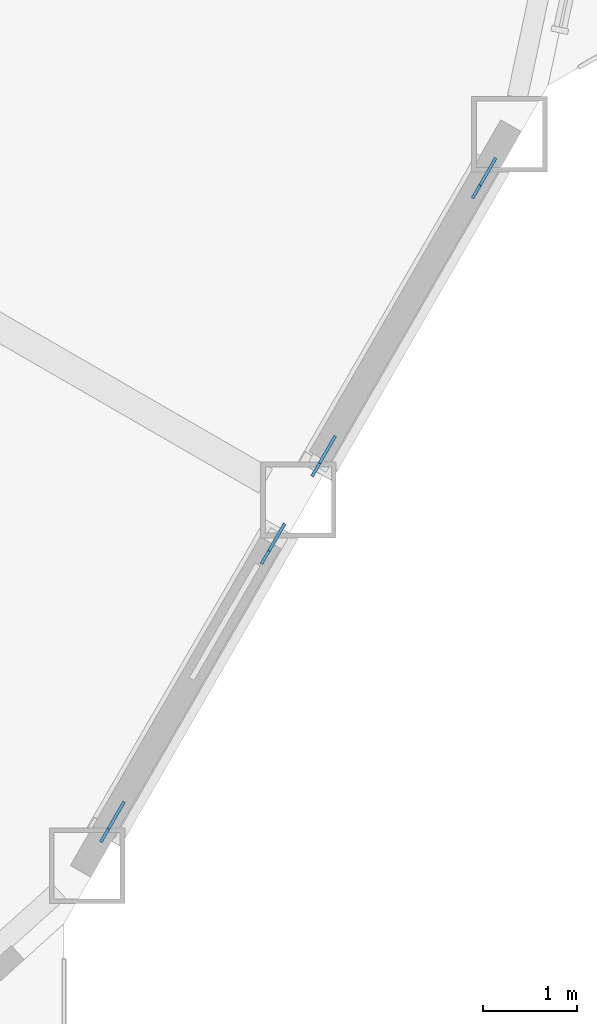
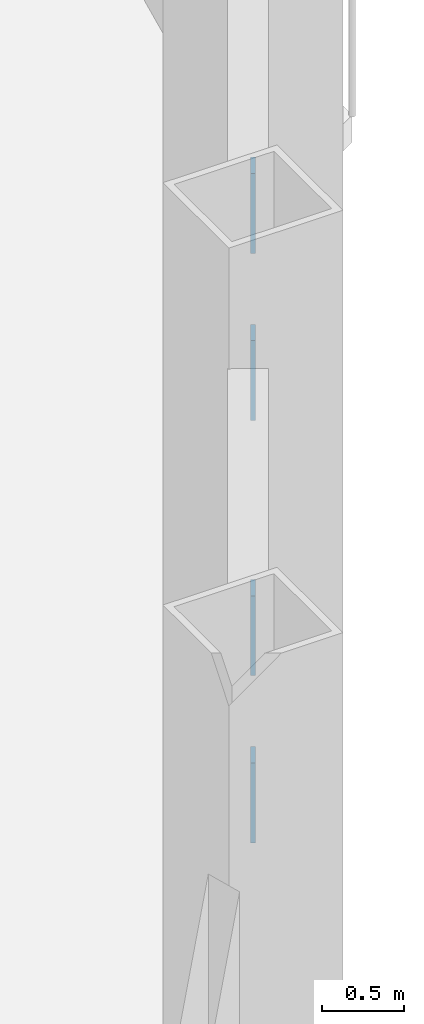
# One storey, part 17 of 23: 4 discrete accessories.
"""IFC4 building model written with IfcOpenShell, lengths in metres."""

from ifc_helpers import new_model, si_unit, direction, frame, origin, origin_2d, place, context, subcontext, project, spatial, rectangle, extrude, material, material_profile, profile_set, type_object, element, save


model = new_model("IFC4")

# Units and contexts
model_context = context("Model", 3, precision=1e-05, world=origin(), true_north=direction((0.0, 1.0)))
body_context = subcontext(model_context, "Body", "Model", "MODEL_VIEW")
ifc_project = project(units=[si_unit("LENGTHUNIT", "METRE"), si_unit("AREAUNIT", "SQUARE_METRE"), si_unit("VOLUMEUNIT", "CUBIC_METRE"), si_unit("PLANEANGLEUNIT", "RADIAN"), si_unit("MASSUNIT", "GRAM", prefix="KILO")], contexts=[model_context])

# Site, building, storey
site_placement = place(None, origin())
site = spatial("IfcSite", under=ifc_project, at=site_placement, CompositionType="ELEMENT")
building_placement = place(site_placement, origin())
building = spatial("IfcBuilding", under=site, at=building_placement, Name="Cormorant Prow Tower", CompositionType="ELEMENT")
storey_placement = place(building_placement, frame((0.0, 0.0, 176.39990234375)))
storey = spatial("IfcBuildingStorey", under=building, at=storey_placement, Name="L37", CompositionType="ELEMENT", Elevation=176.39990234375)

# Discrete accessories
ifc_material = material(Name="Structural steel ASTM A500 Gr C", Category="steel")
ifc_material_profile = material_profile(ifc_material, rectangle(XDim=0.031982421875, YDim=0.506103515625, at=origin_2d()), Name="Gusset plate 32x506")
ifc_profile_set = profile_set([ifc_material_profile], Name="Structural steel ASTM A500 Gr C")
discrete_accessory_type = type_object("IfcDiscreteAccessoryType", Name="Gusset plate 32x506", PredefinedType="BRACKET", material=ifc_profile_set)
discrete_accessory_1_placement = place(storey_placement, frame((27.7080078125, -16.807373046875, 0.835693359375), z_axis=(0.474172452765, 0.820736730742, -0.318671780755), x_axis=(-0.86587923604, 0.500253084543, 0.0)))
element("IfcDiscreteAccessory", 1, at=discrete_accessory_1_placement, inside=storey, type_object=discrete_accessory_type, Name="Gusset plate GP2 L37.ESE00.g0", PredefinedType="BRACKET", context=body_context, shape_type="SweptSolid", body=[
    extrude(rectangle(XDim=0.031982421875, YDim=0.506103515625, at=origin_2d()), origin(), (0.0, 0.0, 1.0), 0.35009765625),
])
discrete_accessory_2_placement = place(storey_placement, frame((26.17431640625, -19.463623046875, 1.865478515625), z_axis=(-0.47373689254, -0.821190460264, 0.318150254784), x_axis=(0.866197837791, -0.499701216534, 0.0)))
element("IfcDiscreteAccessory", 2, at=discrete_accessory_2_placement, inside=storey, type_object=discrete_accessory_type, Name="Gusset plate GP2 L37.ESE00.g1", PredefinedType="BRACKET", context=body_context, shape_type="SweptSolid", body=[
    extrude(rectangle(XDim=0.031982421875, YDim=0.506103515625, at=origin_2d()), origin(), (0.0, 0.0, 1.0), 0.349853515625),
])
for number, where, z_axis, x_axis, name in (
    (3, (29.943359375, -12.935791015625, 0.835693359375), (0.473631655621, 0.821008039272, -0.31877712315), (-0.866197837791, 0.499701216534, 0.0), "Gusset plate GP2 L37.ESE01.g0"),
    (4, (28.40966796875, -15.59228515625, 1.865478515625), (-0.4742777402, -0.820918970906, 0.31804507284), (0.86587923604, -0.500253084543, 0.0), "Gusset plate GP2 L37.ESE01.g1"),
):
    element("IfcDiscreteAccessory", number, at=place(storey_placement, frame(where, z_axis=z_axis, x_axis=x_axis)), inside=storey, type_object=discrete_accessory_type, Name=name, PredefinedType="BRACKET", context=body_context, shape_type="SweptSolid", body=[
        extrude(rectangle(XDim=0.031982421875, YDim=0.506103515625, at=origin_2d()), origin(), (0.0, 0.0, 1.0), 0.35009765625),
    ])

save(model, "model.ifc")
